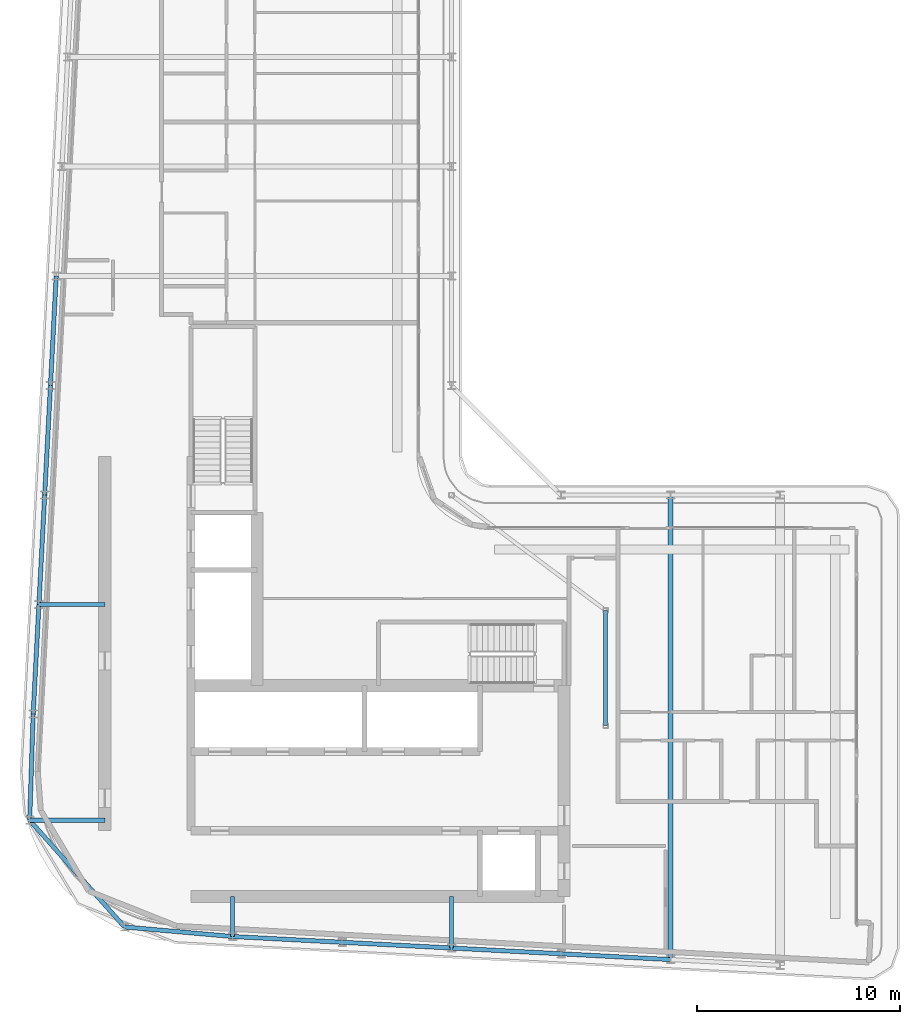
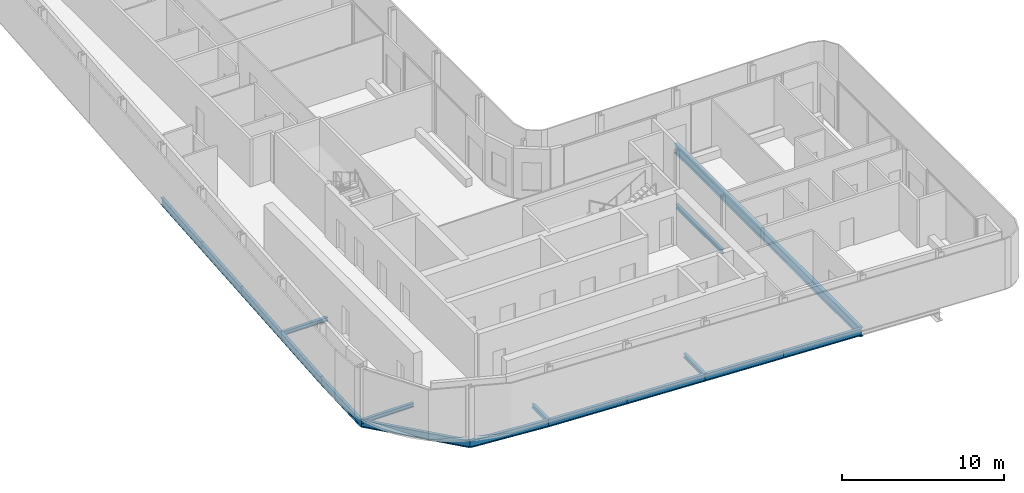
# One storey, part 5 of 21: 17 beams.
"""IFC4 building model written with IfcOpenShell, lengths in metres."""

from ifc_helpers import new_model, si_unit, direction, frame, origin, origin_2d, place, context, subcontext, project, spatial, i_section, extrude, material, material_profile, profile_set, type_object, element, save


model = new_model("IFC4")

# Units and contexts
model_context = context("Model", 3, precision=1e-05, world=origin(), true_north=direction((0.0, 1.0)))
body_context = subcontext(model_context, "Body", "Model", "MODEL_VIEW")
ifc_project = project(units=[si_unit("LENGTHUNIT", "METRE"), si_unit("AREAUNIT", "SQUARE_METRE"), si_unit("VOLUMEUNIT", "CUBIC_METRE"), si_unit("PLANEANGLEUNIT", "RADIAN"), si_unit("MASSUNIT", "GRAM", prefix="KILO")], contexts=[model_context])

# Site, building, storey
site_placement = place(None, origin())
site = spatial("IfcSite", under=ifc_project, at=site_placement, CompositionType="ELEMENT")
building_placement = place(site_placement, origin())
building = spatial("IfcBuilding", under=site, at=building_placement, Name="Kheshtan School and Residences Tower", CompositionType="ELEMENT")
storey_placement = place(building_placement, frame((0.0, 0.0, 294.199951171875)))
storey = spatial("IfcBuildingStorey", under=building, at=storey_placement, Name="L69", CompositionType="ELEMENT", Elevation=294.199951171875)

# Beams
ifc_material = material(Name="Steel ASTM A992 Grade 50", Category="steel")
ifc_material_profile_1 = material_profile(ifc_material, i_section(OverallWidth=0.202880859375, OverallDepth=0.302978515625, WebThickness=0.007568359375, FlangeThickness=0.01318359375, FilletRadius=0.009033203125, at=origin_2d()), Name="W310x60")
ifc_profile_set_1 = profile_set([ifc_material_profile_1], Name="Steel ASTM A992 Grade 50")
beam_type_1 = type_object("IfcBeamType", Name="Beam FB1 W310x60 ASTM A992 Grade 50", PredefinedType="BEAM", material=ifc_profile_set_1)
beam_1_placement = place(storey_placement, frame((47.60009765625, 23.263916015625, -0.301513671875), z_axis=(0.0, 1.0, 0.0), x_axis=(-1.0, 0.0, 0.0)))
element("IfcBeam", 1, at=beam_1_placement, inside=storey, type_object=beam_type_1, Name="Floor beam C020", PredefinedType="BEAM", context=body_context, shape_type="SweptSolid", body=[
    extrude(i_section(OverallWidth=0.202880859375, OverallDepth=0.302978515625, WebThickness=0.007568359375, FlangeThickness=0.01318359375, FilletRadius=0.009033203125, at=origin_2d()), origin(), (0.0, 0.0, 1.0), 2.5361328125),
])
beam_2_placement = place(storey_placement, frame((36.800048828125, 23.83203125, -0.301513671875), z_axis=(0.0, 1.0, 0.0), x_axis=(-1.0, 0.0, 0.0)))
element("IfcBeam", 2, at=beam_2_placement, inside=storey, type_object=beam_type_1, Name="Floor beam C022", PredefinedType="BEAM", context=body_context, shape_type="SweptSolid", body=[
    extrude(i_section(OverallWidth=0.202880859375, OverallDepth=0.302978515625, WebThickness=0.007568359375, FlangeThickness=0.01318359375, FilletRadius=0.009033203125, at=origin_2d()), origin(), (0.0, 0.0, 1.0), 1.968017578125),
])
beam_3_placement = place(storey_placement, frame((26.797119140625, 29.56591796875, -0.301513671875), z_axis=(1.0, 0.0, 0.0), x_axis=(0.0, 1.0, 0.0)))
element("IfcBeam", 3, at=beam_3_placement, inside=storey, type_object=beam_type_1, Name="Floor beam C044", PredefinedType="BEAM", context=body_context, shape_type="SweptSolid", body=[
    extrude(i_section(OverallWidth=0.202880859375, OverallDepth=0.302978515625, WebThickness=0.007568359375, FlangeThickness=0.01318359375, FilletRadius=0.009033203125, at=origin_2d()), origin(), (0.0, 0.0, 1.0), 3.702880859375),
])
beam_4_placement = place(storey_placement, frame((27.2529296875, 40.199951171875, -0.301513671875), z_axis=(1.0, 0.0, 0.0), x_axis=(0.0, 1.0, 0.0)))
element("IfcBeam", 4, at=beam_4_placement, inside=storey, type_object=beam_type_1, Name="Floor beam C056", PredefinedType="BEAM", context=body_context, shape_type="SweptSolid", body=[
    extrude(i_section(OverallWidth=0.202880859375, OverallDepth=0.302978515625, WebThickness=0.007568359375, FlangeThickness=0.01318359375, FilletRadius=0.009033203125, at=origin_2d()), origin(), (0.0, 0.0, 1.0), 3.2470703125),
])
beam_5_placement = place(storey_placement, frame((55.199951171875, 34.23193359375, -0.301513671875), z_axis=(0.0, 1.0, 0.0), x_axis=(-1.0, 0.0, 0.0)))
element("IfcBeam", 5, at=beam_5_placement, inside=storey, type_object=beam_type_1, Name="Floor beam IC", PredefinedType="BEAM", context=body_context, shape_type="SweptSolid", body=[
    extrude(i_section(OverallWidth=0.202880859375, OverallDepth=0.302978515625, WebThickness=0.007568359375, FlangeThickness=0.01318359375, FilletRadius=0.009033203125, at=origin_2d()), origin(), (0.0, 0.0, 1.0), 5.68408203125),
])
ifc_material_profile_2 = material_profile(ifc_material, i_section(OverallWidth=0.2529296875, OverallDepth=0.677978515625, WebThickness=0.01171875, FlangeThickness=0.016357421875, FilletRadius=0.0146484375, at=origin_2d()), Name="W690x125")
ifc_profile_set_2 = profile_set([ifc_material_profile_2], Name="Steel ASTM A992 Grade 50")
beam_type_2 = type_object("IfcBeamType", Name="Beam FB6 W690x125 ASTM A992 Grade 50", PredefinedType="BEAM", material=ifc_profile_set_2)
beam_6_placement = place(storey_placement, frame((58.39990234375, 22.695068359375, -0.489013671875), z_axis=(0.0, 1.0, 0.0), x_axis=(-1.0, 0.0, 0.0)))
element("IfcBeam", 6, at=beam_6_placement, inside=storey, type_object=beam_type_2, Name="Floor beam C018", PredefinedType="BEAM", context=body_context, shape_type="SweptSolid", body=[
    extrude(i_section(OverallWidth=0.2529296875, OverallDepth=0.677978515625, WebThickness=0.01171875, FlangeThickness=0.016357421875, FilletRadius=0.0146484375, at=origin_2d()), origin(), (0.0, 0.0, 1.0), 22.905029296875),
])
ifc_material_profile_3 = material_profile(ifc_material, i_section(OverallWidth=0.208984375, OverallDepth=0.532958984375, WebThickness=0.01025390625, FlangeThickness=0.015625, FilletRadius=0.013916015625, at=origin_2d()), Name="W530x92")
ifc_profile_set_3 = profile_set([ifc_material_profile_3], Name="Steel ASTM A992 Grade 50")
beam_type_3 = type_object("IfcBeamType", Name="Beam SP3 W530x92 ASTM A992 Grade 50", PredefinedType="BEAM", material=ifc_profile_set_3)
for number, where, z_axis, x_axis, name in (
    (7, (58.39990234375, 22.695068359375, -0.41650390625), (-0.998610961136, 0.052689166816, 0.0), (-0.052689166816, -0.998610961136, 0.0), "Spandrel beam C018-C019"),
    (8, (53.0, 22.97998046875, -0.41650390625), (-0.998620447272, 0.05250906864, 0.0), (-0.05250906864, -0.998620447272, 0.0), "Spandrel beam C019-C020"),
):
    element("IfcBeam", number, at=place(storey_placement, frame(where, z_axis=z_axis, x_axis=x_axis)), inside=storey, type_object=beam_type_3, Name=name, PredefinedType="BEAM", context=body_context, shape_type="SweptSolid", body=[
        extrude(i_section(OverallWidth=0.208984375, OverallDepth=0.532958984375, WebThickness=0.01025390625, FlangeThickness=0.015625, FilletRadius=0.013916015625, at=origin_2d()), origin(), (0.0, 0.0, 1.0), 5.407470703125),
    ])
beam_7_placement = place(storey_placement, frame((47.60009765625, 23.263916015625, -0.41650390625), z_axis=(-0.998618203458, 0.052551724256, 0.0), x_axis=(-0.052551724256, -0.998618203458, 0.0)))
element("IfcBeam", 9, at=beam_7_placement, inside=storey, type_object=beam_type_3, Name="Spandrel beam C020-C021", PredefinedType="BEAM", context=body_context, shape_type="SweptSolid", body=[
    extrude(i_section(OverallWidth=0.208984375, OverallDepth=0.532958984375, WebThickness=0.01025390625, FlangeThickness=0.015625, FilletRadius=0.013916015625, at=origin_2d()), origin(), (0.0, 0.0, 1.0), 5.40771484375),
])
beam_8_placement = place(storey_placement, frame((42.199951171875, 23.548095703125, -0.41650390625), z_axis=(-0.998620447272, 0.05250906864, 0.0), x_axis=(-0.05250906864, -0.998620447272, 0.0)))
element("IfcBeam", 10, at=beam_8_placement, inside=storey, type_object=beam_type_3, Name="Spandrel beam C021-C022", PredefinedType="BEAM", context=body_context, shape_type="SweptSolid", body=[
    extrude(i_section(OverallWidth=0.208984375, OverallDepth=0.532958984375, WebThickness=0.01025390625, FlangeThickness=0.015625, FilletRadius=0.013916015625, at=origin_2d()), origin(), (0.0, 0.0, 1.0), 5.407470703125),
])
beam_9_placement = place(storey_placement, frame((36.800048828125, 23.83203125, -0.41650390625), z_axis=(-0.996129262073, 0.087900473504, 0.0), x_axis=(-0.087900473504, -0.996129262073, 0.0)))
element("IfcBeam", 11, at=beam_9_placement, inside=storey, type_object=beam_type_3, Name="Spandrel beam C022-C031", PredefinedType="BEAM", context=body_context, shape_type="SweptSolid", body=[
    extrude(i_section(OverallWidth=0.208984375, OverallDepth=0.532958984375, WebThickness=0.01025390625, FlangeThickness=0.015625, FilletRadius=0.013916015625, at=origin_2d()), origin(), (0.0, 0.0, 1.0), 5.3466796875),
])
beam_10_placement = place(storey_placement, frame((31.47412109375, 24.302001953125, -0.41650390625), z_axis=(-0.664202421408, 0.747552769639, 0.0), x_axis=(-0.747552769639, -0.664202421408, 0.0)))
element("IfcBeam", 12, at=beam_10_placement, inside=storey, type_object=beam_type_3, Name="Spandrel beam C031-C044", PredefinedType="BEAM", context=body_context, shape_type="SweptSolid", body=[
    extrude(i_section(OverallWidth=0.208984375, OverallDepth=0.532958984375, WebThickness=0.01025390625, FlangeThickness=0.015625, FilletRadius=0.013916015625, at=origin_2d()), origin(), (0.0, 0.0, 1.0), 7.04150390625),
])
beam_11_placement = place(storey_placement, frame((26.797119140625, 29.56591796875, -0.41650390625), z_axis=(0.032819662671, 0.999461289767, 0.0), x_axis=(-0.999461289767, 0.032819662671, 0.0)))
element("IfcBeam", 13, at=beam_11_placement, inside=storey, type_object=beam_type_3, Name="Spandrel beam C044-C052", PredefinedType="BEAM", context=body_context, shape_type="SweptSolid", body=[
    extrude(i_section(OverallWidth=0.208984375, OverallDepth=0.532958984375, WebThickness=0.01025390625, FlangeThickness=0.015625, FilletRadius=0.013916015625, at=origin_2d()), origin(), (0.0, 0.0, 1.0), 5.237060546875),
])
beam_12_placement = place(storey_placement, frame((26.968994140625, 34.800048828125, -0.41650390625), z_axis=(0.05250906864, 0.998620447272, 0.0), x_axis=(-0.998620447272, 0.05250906864, 0.0)))
element("IfcBeam", 14, at=beam_12_placement, inside=storey, type_object=beam_type_3, Name="Spandrel beam C052-C056", PredefinedType="BEAM", context=body_context, shape_type="SweptSolid", body=[
    extrude(i_section(OverallWidth=0.208984375, OverallDepth=0.532958984375, WebThickness=0.01025390625, FlangeThickness=0.015625, FilletRadius=0.013916015625, at=origin_2d()), origin(), (0.0, 0.0, 1.0), 5.407470703125),
])
beam_13_placement = place(storey_placement, frame((27.2529296875, 40.199951171875, -0.41650390625), z_axis=(0.052551724256, 0.998618203458, 0.0), x_axis=(-0.998618203458, 0.052551724256, 0.0)))
element("IfcBeam", 15, at=beam_13_placement, inside=storey, type_object=beam_type_3, Name="Spandrel beam C056-C059", PredefinedType="BEAM", context=body_context, shape_type="SweptSolid", body=[
    extrude(i_section(OverallWidth=0.208984375, OverallDepth=0.532958984375, WebThickness=0.01025390625, FlangeThickness=0.015625, FilletRadius=0.013916015625, at=origin_2d()), origin(), (0.0, 0.0, 1.0), 5.40771484375),
])
for number, where, z_axis, x_axis, name in (
    (16, (27.537109375, 45.60009765625, -0.41650390625), (0.052689166816, 0.998610961136, 0.0), (-0.998610961136, 0.052689166816, 0.0), "Spandrel beam C059-C078"),
    (17, (27.822021484375, 51.0, -0.41650390625), (0.05250906864, 0.998620447272, 0.0), (-0.998620447272, 0.05250906864, 0.0), "Spandrel beam C078-C080"),
):
    element("IfcBeam", number, at=place(storey_placement, frame(where, z_axis=z_axis, x_axis=x_axis)), inside=storey, type_object=beam_type_3, Name=name, PredefinedType="BEAM", context=body_context, shape_type="SweptSolid", body=[
        extrude(i_section(OverallWidth=0.208984375, OverallDepth=0.532958984375, WebThickness=0.01025390625, FlangeThickness=0.015625, FilletRadius=0.013916015625, at=origin_2d()), origin(), (0.0, 0.0, 1.0), 5.407470703125),
    ])

save(model, "model.ifc")
